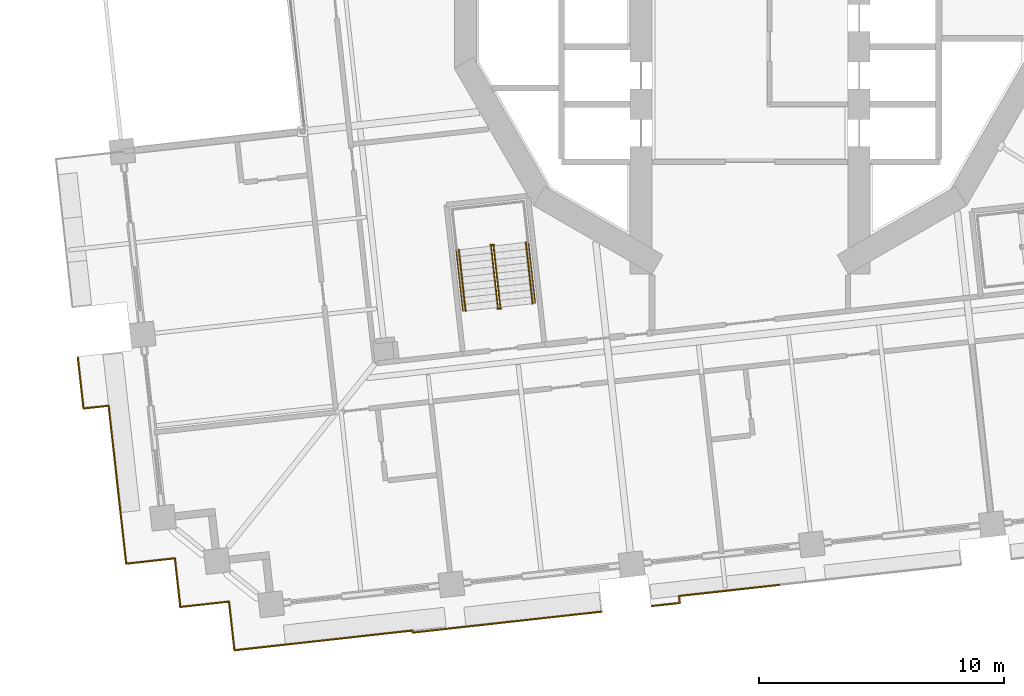
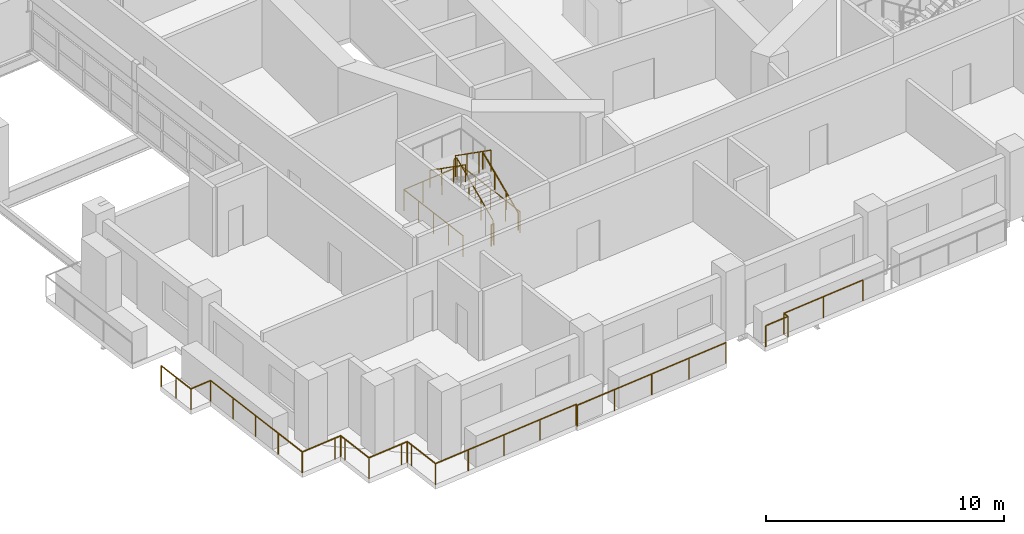
# One storey, part 15 of 21: 9 railings.
"""IFC4 building model written with IfcOpenShell, lengths in metres."""

from ifc_helpers import new_model, si_unit, direction, frame, origin, origin_2d, place, context, subcontext, project, spatial, circle, extrude, material, type_object, element, save


model = new_model("IFC4")

# Units and contexts
model_context = context("Model", 3, precision=1e-05, world=origin(), true_north=direction((0.0, 1.0)))
body_context = subcontext(model_context, "Body", "Model", "MODEL_VIEW")
ifc_project = project(units=[si_unit("LENGTHUNIT", "METRE"), si_unit("AREAUNIT", "SQUARE_METRE"), si_unit("VOLUMEUNIT", "CUBIC_METRE"), si_unit("PLANEANGLEUNIT", "RADIAN"), si_unit("MASSUNIT", "GRAM", prefix="KILO")], contexts=[model_context])

# Site, building, storey
site_placement = place(None, origin())
site = spatial("IfcSite", under=ifc_project, at=site_placement, CompositionType="ELEMENT")
building_placement = place(site_placement, origin())
building = spatial("IfcBuilding", under=site, at=building_placement, Name="Cantera Rosa Tower", CompositionType="ELEMENT")
storey_placement = place(building_placement, frame((0.0, 0.0, 69.10009765625)))
storey = spatial("IfcBuildingStorey", under=building, at=storey_placement, Name="L14", CompositionType="ELEMENT", Elevation=69.10009765625)

# Railings
ifc_material_1 = material(Name="Stainless steel and laminated glass", Category="steel")
railing_type_1 = type_object("IfcRailingType", Name="GUARD 1100", PredefinedType="BALUSTRADE", material=ifc_material_1)
railing_1_placement = place(storey_placement, frame((-25.46826171875, -23.45263671875, 0.0)))
element("IfcRailing", 1, at=railing_1_placement, inside=storey, type_object=railing_type_1, Name="GUARD L14-1", PredefinedType="BALUSTRADE", context=body_context, shape_type="SweptSolid", body=[
    extrude(circle(Radius=0.030029296875, at=origin_2d()), frame((0.0, 0.0, 1.070068359375), z_axis=(-0.110289669906, 0.993899486222, 0.0), x_axis=(-0.993899486222, -0.110289669906, 0.0)), (0.0, 0.0, 1.0), 1.699951171875),
    extrude(circle(Radius=0.030029296875, at=origin_2d()), frame((-0.1875, 1.689697265625, 1.070068359375), z_axis=(-0.110308384039, 0.993897409399, 0.0), x_axis=(-0.993897409399, -0.110308384039, 0.0)), (0.0, 0.0, 1.0), 4.787353515625),
    extrude(circle(Radius=0.030029296875, at=origin_2d()), frame((-0.715576171875, 6.44775390625, 1.070068359375), z_axis=(-0.993889498172, -0.110379642247, 0.0), x_axis=(0.110379642247, -0.993889498172, 0.0)), (0.0, 0.0, 1.0), 1.032958984375),
    extrude(circle(Radius=0.030029296875, at=origin_2d()), frame((-1.7421875, 6.333740234375, 1.070068359375), z_axis=(-0.110304087838, 0.993897886207, 0.0), x_axis=(-0.993897886207, -0.110304087838, 0.0)), (0.0, 0.0, 1.0), 2.102783203125),
    extrude(circle(Radius=0.02490234375, at=origin_2d()), origin(), (0.0, 0.0, 1.0), 1.0400390625),
    extrude(circle(Radius=0.02490234375, at=origin_2d()), frame((-0.1875, 1.689697265625, 0.0)), (0.0, 0.0, 1.0), 1.0400390625),
    extrude(circle(Radius=0.02490234375, at=origin_2d()), frame((-0.363525390625, 3.275634765625, 0.0)), (0.0, 0.0, 1.0), 1.0400390625),
    extrude(circle(Radius=0.02490234375, at=origin_2d()), frame((-0.53955078125, 4.86181640625, 0.0)), (0.0, 0.0, 1.0), 1.0400390625),
    extrude(circle(Radius=0.02490234375, at=origin_2d()), frame((-0.715576171875, 6.44775390625, 0.0)), (0.0, 0.0, 1.0), 1.0400390625),
    extrude(circle(Radius=0.02490234375, at=origin_2d()), frame((-1.7421875, 6.333740234375, 0.0)), (0.0, 0.0, 1.0), 1.0400390625),
    extrude(circle(Radius=0.02490234375, at=origin_2d()), frame((-1.858154296875, 7.378662109375, 0.0)), (0.0, 0.0, 1.0), 1.0400390625),
    extrude(circle(Radius=0.02490234375, at=origin_2d()), frame((-1.97412109375, 8.423583984375, 0.0)), (0.0, 0.0, 1.0), 1.0400390625),
])
railing_2_placement = place(storey_placement, frame((-6.06396484375, -25.4091796875, 0.0)))
element("IfcRailing", 2, at=railing_2_placement, inside=storey, type_object=railing_type_1, Name="GUARD L14-2", PredefinedType="BALUSTRADE", context=body_context, shape_type="SweptSolid", body=[
    extrude(circle(Radius=0.030029296875, at=origin_2d()), frame((0.0, 0.0, 1.070068359375), z_axis=(-0.993897547531, -0.110307139445, 0.0), x_axis=(0.110307139445, -0.993897547531, 0.0)), (0.0, 0.0, 1.0), 7.75537109375),
    extrude(circle(Radius=0.030029296875, at=origin_2d()), frame((-7.7080078125, -0.85546875, 1.070068359375), z_axis=(-0.108859286546, 0.994057169248, 0.0), x_axis=(-0.994057169248, -0.108859286546, 0.0)), (0.0, 0.0, 1.0), 0.085205078125),
    extrude(circle(Radius=0.030029296875, at=origin_2d()), frame((-7.71728515625, -0.770751953125, 1.070068359375), z_axis=(-0.993896984026, -0.110312216663, 0.0), x_axis=(0.110312216663, -0.993896984026, 0.0)), (0.0, 0.0, 1.0), 5.61474609375),
    extrude(circle(Radius=0.030029296875, at=origin_2d()), frame((-13.2978515625, -1.39013671875, 1.070068359375), z_axis=(-0.993883734674, -0.110431526075, 0.0), x_axis=(0.110431526075, -0.993883734674, 0.0)), (0.0, 0.0, 1.0), 1.7001953125),
    extrude(circle(Radius=0.030029296875, at=origin_2d()), frame((-14.987548828125, -1.577880859375, 1.070068359375), z_axis=(-0.110289669906, 0.993899486222, 0.0), x_axis=(-0.993899486222, -0.110289669906, 0.0)), (0.0, 0.0, 1.0), 1.699951171875),
    extrude(circle(Radius=0.030029296875, at=origin_2d()), frame((-15.175048828125, 0.11181640625, 1.070068359375), z_axis=(-0.110699535641, 0.99385391925, 0.0), x_axis=(-0.99385391925, -0.110699535641, 0.0)), (0.0, 0.0, 1.0), 0.300048828125),
    extrude(circle(Radius=0.030029296875, at=origin_2d()), frame((-15.208251953125, 0.409912109375, 1.070068359375), z_axis=(-0.993943154022, -0.10989543472, 0.0), x_axis=(0.10989543472, -0.993943154022, 0.0)), (0.0, 0.0, 1.0), 0.2998046875),
    extrude(circle(Radius=0.030029296875, at=origin_2d()), frame((-15.50634765625, 0.376953125, 1.070068359375), z_axis=(-0.993899486222, -0.110289669906, 0.0), x_axis=(0.110289669906, -0.993899486222, 0.0)), (0.0, 0.0, 1.0), 1.699951171875),
    extrude(circle(Radius=0.030029296875, at=origin_2d()), frame((-17.196044921875, 0.189453125, 1.070068359375), z_axis=(-0.110305413813, 0.993897739047, 0.0), x_axis=(-0.993897739047, -0.110305413813, 0.0)), (0.0, 0.0, 1.0), 1.69970703125),
    extrude(circle(Radius=0.030029296875, at=origin_2d()), frame((-17.383544921875, 1.87890625, 1.070068359375), z_axis=(-0.1098065887, 0.993952973273, 0.0), x_axis=(-0.993952973273, -0.1098065887, 0.0)), (0.0, 0.0, 1.0), 0.300048828125),
    extrude(circle(Radius=0.030029296875, at=origin_2d()), frame((-17.41650390625, 2.17724609375, 1.070068359375), z_axis=(-0.993863881828, -0.110610055588, 0.0), x_axis=(0.110610055588, -0.993863881828, 0.0)), (0.0, 0.0, 1.0), 0.30029296875),
    extrude(circle(Radius=0.030029296875, at=origin_2d()), frame((-17.71484375, 2.14404296875, 1.070068359375), z_axis=(-0.993897739047, -0.110305413813, 0.0), x_axis=(0.110305413813, -0.993897739047, 0.0)), (0.0, 0.0, 1.0), 1.69970703125),
    extrude(circle(Radius=0.02490234375, at=origin_2d()), origin(), (0.0, 0.0, 1.0), 1.0400390625),
    extrude(circle(Radius=0.02490234375, at=origin_2d()), frame((-1.927001953125, -0.2138671875, 0.0)), (0.0, 0.0, 1.0), 1.0400390625),
    extrude(circle(Radius=0.02490234375, at=origin_2d()), frame((-3.85400390625, -0.427734375, 0.0)), (0.0, 0.0, 1.0), 1.0400390625),
    extrude(circle(Radius=0.02490234375, at=origin_2d()), frame((-5.781005859375, -0.6416015625, 0.0)), (0.0, 0.0, 1.0), 1.0400390625),
    extrude(circle(Radius=0.02490234375, at=origin_2d()), frame((-7.7080078125, -0.85546875, 0.0)), (0.0, 0.0, 1.0), 1.0400390625),
    extrude(circle(Radius=0.02490234375, at=origin_2d()), frame((-7.71728515625, -0.770751953125, 0.0)), (0.0, 0.0, 1.0), 1.0400390625),
    extrude(circle(Radius=0.02490234375, at=origin_2d()), frame((-9.577392578125, -0.977294921875, 0.0)), (0.0, 0.0, 1.0), 1.0400390625),
    extrude(circle(Radius=0.02490234375, at=origin_2d()), frame((-11.437744140625, -1.18359375, 0.0)), (0.0, 0.0, 1.0), 1.0400390625),
    extrude(circle(Radius=0.02490234375, at=origin_2d()), frame((-13.2978515625, -1.39013671875, 0.0)), (0.0, 0.0, 1.0), 1.0400390625),
    extrude(circle(Radius=0.02490234375, at=origin_2d()), frame((-14.987548828125, -1.577880859375, 0.0)), (0.0, 0.0, 1.0), 1.0400390625),
    extrude(circle(Radius=0.02490234375, at=origin_2d()), frame((-15.175048828125, 0.11181640625, 0.0)), (0.0, 0.0, 1.0), 1.0400390625),
    extrude(circle(Radius=0.02490234375, at=origin_2d()), frame((-15.208251953125, 0.409912109375, 0.0)), (0.0, 0.0, 1.0), 1.0400390625),
    extrude(circle(Radius=0.02490234375, at=origin_2d()), frame((-15.50634765625, 0.376953125, 0.0)), (0.0, 0.0, 1.0), 1.0400390625),
    extrude(circle(Radius=0.02490234375, at=origin_2d()), frame((-17.196044921875, 0.189453125, 0.0)), (0.0, 0.0, 1.0), 1.0400390625),
    extrude(circle(Radius=0.02490234375, at=origin_2d()), frame((-17.383544921875, 1.87890625, 0.0)), (0.0, 0.0, 1.0), 1.0400390625),
    extrude(circle(Radius=0.02490234375, at=origin_2d()), frame((-17.41650390625, 2.17724609375, 0.0)), (0.0, 0.0, 1.0), 1.0400390625),
    extrude(circle(Radius=0.02490234375, at=origin_2d()), frame((-17.71484375, 2.14404296875, 0.0)), (0.0, 0.0, 1.0), 1.0400390625),
    extrude(circle(Radius=0.02490234375, at=origin_2d()), frame((-19.404296875, 1.95654296875, 0.0)), (0.0, 0.0, 1.0), 1.0400390625),
])
railing_3_placement = place(storey_placement, frame((1.189697265625, -24.317138671875, 0.0)))
element("IfcRailing", 3, at=railing_3_placement, inside=storey, type_object=railing_type_1, Name="GUARD L14-7", PredefinedType="BALUSTRADE", context=body_context, shape_type="SweptSolid", body=[
    extrude(circle(Radius=0.030029296875, at=origin_2d()), frame((0.0, 0.0, 1.070068359375), z_axis=(-0.993898197765, -0.110301280499, 0.0), x_axis=(0.110301280499, -0.993898197765, 0.0)), (0.0, 0.0, 1.0), 4.11474609375),
    extrude(circle(Radius=0.030029296875, at=origin_2d()), frame((-4.089599609375, -0.453857421875, 1.070068359375), z_axis=(0.110431526075, -0.993883734674, 0.0), x_axis=(0.993883734674, 0.110431526075, 0.0)), (0.0, 0.0, 1.0), 0.28515625),
    extrude(circle(Radius=0.030029296875, at=origin_2d()), frame((-4.05810546875, -0.7373046875, 1.070068359375), z_axis=(-0.993896614033, -0.110315550186, 0.0), x_axis=(0.110315550186, -0.993896614033, 0.0)), (0.0, 0.0, 1.0), 1.1552734375),
    extrude(circle(Radius=0.02490234375, at=origin_2d()), origin(), (0.0, 0.0, 1.0), 1.0400390625),
    extrude(circle(Radius=0.02490234375, at=origin_2d()), frame((-2.044921875, -0.22705078125, 0.0)), (0.0, 0.0, 1.0), 1.0400390625),
    extrude(circle(Radius=0.02490234375, at=origin_2d()), frame((-4.089599609375, -0.453857421875, 0.0)), (0.0, 0.0, 1.0), 1.0400390625),
    extrude(circle(Radius=0.02490234375, at=origin_2d()), frame((-4.05810546875, -0.7373046875, 0.0)), (0.0, 0.0, 1.0), 1.0400390625),
    extrude(circle(Radius=0.02490234375, at=origin_2d()), frame((-5.206298828125, -0.86474609375, 0.0)), (0.0, 0.0, 1.0), 1.0400390625),
])
ifc_material_2 = material(Name="Steel S355J2 (EN 10025-2)", Category="steel")
railing_type_2 = type_object("IfcRailingType", Name="STAIR GUARD 1100", PredefinedType="GUARDRAIL", material=ifc_material_2)
railing_4_placement = place(storey_placement, frame((-10.19677734375, -12.986083984375, 0.18994140625)))
element("IfcRailing", 4, at=railing_4_placement, inside=storey, type_object=railing_type_2, Name="L14 ST-13 stair guard 1", PredefinedType="GUARDRAIL", context=body_context, shape_type="SweptSolid", body=[
    extrude(circle(Radius=0.02392578125, at=origin_2d()), frame((0.0, 0.0, 1.076171875), z_axis=(-0.091310000343, 0.822431337597, 0.561488360321), x_axis=(-0.993893182753, -0.110346460196, 0.0)), (0.0, 0.0, 1.0), 3.04541015625),
    extrude(circle(Radius=0.02392578125, at=origin_2d()), frame((-0.278076171875, 2.504638671875, 2.7861328125), z_axis=(0.360141847183, 0.932897555956, 0.0), x_axis=(-0.932897555956, 0.360141847183, 0.0)), (0.0, 0.0, 1.0), 0.05615234375),
    extrude(circle(Radius=0.02392578125, at=origin_2d()), frame((-0.2578125, 2.55712890625, 2.7861328125), z_axis=(-0.994022053584, -0.109179471459, 0.0), x_axis=(0.109179471459, -0.994022053584, 0.0)), (0.0, 0.0, 1.0), 0.14990234375),
    extrude(circle(Radius=0.02099609375, at=origin_2d()), origin(), (0.0, 0.0, 1.0), 1.052001953125),
    extrude(circle(Radius=0.02099609375, at=origin_2d()), frame((-0.0927734375, 0.8349609375, 0.570068359375)), (0.0, 0.0, 1.0), 1.052001953125),
    extrude(circle(Radius=0.02099609375, at=origin_2d()), frame((-0.185302734375, 1.669677734375, 1.139892578125)), (0.0, 0.0, 1.0), 1.052001953125),
    extrude(circle(Radius=0.02099609375, at=origin_2d()), frame((-0.278076171875, 2.504638671875, 1.7099609375)), (0.0, 0.0, 1.0), 1.052001953125),
    extrude(circle(Radius=0.02099609375, at=origin_2d()), frame((-0.2578125, 2.55712890625, 1.7099609375)), (0.0, 0.0, 1.0), 1.052001953125),
    extrude(circle(Radius=0.02099609375, at=origin_2d()), frame((-0.40673828125, 2.540771484375, 1.7099609375)), (0.0, 0.0, 1.0), 1.052001953125),
])
railing_5_placement = place(storey_placement, frame((-10.572265625, -10.4921875, 2.08984375)))
element("IfcRailing", 5, at=railing_5_placement, inside=storey, type_object=railing_type_2, Name="L14 ST-13 stair guard 2", PredefinedType="GUARDRAIL", context=body_context, shape_type="SweptSolid", body=[
    extrude(circle(Radius=0.02392578125, at=origin_2d()), frame((0.0, 0.0, 1.076171875), z_axis=(0.091310000343, -0.822431337597, 0.561488360321), x_axis=(0.993893182753, 0.110346460196, 0.0)), (0.0, 0.0, 1.0), 3.04541015625),
    extrude(circle(Radius=0.02099609375, at=origin_2d()), origin(), (0.0, 0.0, 1.0), 1.052001953125),
    extrude(circle(Radius=0.02099609375, at=origin_2d()), frame((0.0927734375, -0.8349609375, 0.570068359375)), (0.0, 0.0, 1.0), 1.052001953125),
    extrude(circle(Radius=0.02099609375, at=origin_2d()), frame((0.185302734375, -1.669677734375, 1.139892578125)), (0.0, 0.0, 1.0), 1.052001953125),
    extrude(circle(Radius=0.02099609375, at=origin_2d()), frame((0.278076171875, -2.504638671875, 1.7099609375)), (0.0, 0.0, 1.0), 1.052001953125),
])
railing_6_placement = place(storey_placement, frame((-10.16552734375, -13.032958984375, 0.0)))
element("IfcRailing", 6, at=railing_6_placement, inside=storey, type_object=railing_type_2, Name="L14 ST-13 stair guard 3", PredefinedType="GUARDRAIL", context=body_context, shape_type="SweptSolid", body=[
    extrude(circle(Radius=0.02392578125, at=origin_2d()), frame((0.0, 0.0, 1.076171875), z_axis=(-0.994041430915, -0.1090029065, 0.0), x_axis=(0.1090029065, -0.994041430915, 0.0)), (0.0, 0.0, 1.0), 0.150146484375),
    extrude(circle(Radius=0.02099609375, at=origin_2d()), origin(), (0.0, 0.0, 1.0), 1.052001953125),
    extrude(circle(Radius=0.02099609375, at=origin_2d()), frame((-0.149169921875, -0.016357421875, 0.0)), (0.0, 0.0, 1.0), 1.052001953125),
])
railing_7_placement = place(storey_placement, frame((-8.77099609375, -12.815673828125, 0.0)))
element("IfcRailing", 7, at=railing_7_placement, inside=storey, type_object=railing_type_2, Name="L14 ST-13 stair guard 4", PredefinedType="GUARDRAIL", context=body_context, shape_type="SweptSolid", body=[
    extrude(circle(Radius=0.02392578125, at=origin_2d()), frame((0.0, 0.0, 1.076171875), z_axis=(-0.110323013767, 0.9938957856, 0.0), x_axis=(-0.9938957856, -0.110323013767, 0.0)), (0.0, 0.0, 1.0), 4.197998046875),
    extrude(circle(Radius=0.02392578125, at=origin_2d()), frame((-0.463134765625, 4.17236328125, 1.076171875), z_axis=(-0.993896759678, -0.110314237986, 0.0), x_axis=(0.110314237986, -0.993896759678, 0.0)), (0.0, 0.0, 1.0), 2.969970703125),
    extrude(circle(Radius=0.02392578125, at=origin_2d()), frame((-3.4150390625, 3.8447265625, 1.076171875), z_axis=(0.110323013767, -0.9938957856, 0.0), x_axis=(0.9938957856, 0.110323013767, 0.0)), (0.0, 0.0, 1.0), 4.197998046875),
    extrude(circle(Radius=0.02099609375, at=origin_2d()), origin(), (0.0, 0.0, 1.0), 1.052001953125),
    extrude(circle(Radius=0.02099609375, at=origin_2d()), frame((-0.11572265625, 1.04296875, 0.0)), (0.0, 0.0, 1.0), 1.052001953125),
    extrude(circle(Radius=0.02099609375, at=origin_2d()), frame((-0.2314453125, 2.086181640625, 0.0)), (0.0, 0.0, 1.0), 1.052001953125),
    extrude(circle(Radius=0.02099609375, at=origin_2d()), frame((-0.347412109375, 3.12939453125, 0.0)), (0.0, 0.0, 1.0), 1.052001953125),
    extrude(circle(Radius=0.02099609375, at=origin_2d()), frame((-0.463134765625, 4.17236328125, 0.0)), (0.0, 0.0, 1.0), 1.052001953125),
    extrude(circle(Radius=0.02099609375, at=origin_2d()), frame((-1.447021484375, 4.063232421875, 0.0)), (0.0, 0.0, 1.0), 1.052001953125),
    extrude(circle(Radius=0.02099609375, at=origin_2d()), frame((-2.43115234375, 3.953857421875, 0.0)), (0.0, 0.0, 1.0), 1.052001953125),
    extrude(circle(Radius=0.02099609375, at=origin_2d()), frame((-3.4150390625, 3.8447265625, 0.0)), (0.0, 0.0, 1.0), 1.052001953125),
    extrude(circle(Radius=0.02099609375, at=origin_2d()), frame((-3.29931640625, 2.8017578125, 0.0)), (0.0, 0.0, 1.0), 1.052001953125),
    extrude(circle(Radius=0.02099609375, at=origin_2d()), frame((-3.18359375, 1.758544921875, 0.0)), (0.0, 0.0, 1.0), 1.052001953125),
    extrude(circle(Radius=0.02099609375, at=origin_2d()), frame((-3.067626953125, 0.71533203125, 0.0)), (0.0, 0.0, 1.0), 1.052001953125),
    extrude(circle(Radius=0.02099609375, at=origin_2d()), frame((-2.951904296875, -0.32763671875, 0.0)), (0.0, 0.0, 1.0), 1.052001953125),
])
ifc_material_3 = material(Name="Steel S355J2 (EN 10025-2)", Category="steel")
railing_type_3 = type_object("IfcRailingType", Name="STAIR HANDRAIL 900", PredefinedType="HANDRAIL", material=ifc_material_3)
railing_8_placement = place(storey_placement, frame((-8.87890625, -12.83984375, 0.18994140625)))
element("IfcRailing", 8, at=railing_8_placement, inside=storey, type_object=railing_type_3, Name="L14 ST-13 stair handrail 1", PredefinedType="HANDRAIL", context=body_context, shape_type="SweptSolid", body=[
    extrude(circle(Radius=0.02392578125, at=origin_2d()), frame((0.0, 0.0, 0.8759765625), z_axis=(-0.091310000343, 0.822431337597, 0.561488360321), x_axis=(-0.993893182753, -0.110346460196, 0.0)), (0.0, 0.0, 1.0), 3.04541015625),
    extrude(circle(Radius=0.02099609375, at=origin_2d()), origin(), (0.0, 0.0, 1.0), 0.851806640625),
    extrude(circle(Radius=0.02099609375, at=origin_2d()), frame((-0.0927734375, 0.8349609375, 0.570068359375)), (0.0, 0.0, 1.0), 0.851806640625),
    extrude(circle(Radius=0.02099609375, at=origin_2d()), frame((-0.185302734375, 1.669677734375, 1.139892578125)), (0.0, 0.0, 1.0), 0.851806640625),
    extrude(circle(Radius=0.02099609375, at=origin_2d()), frame((-0.278076171875, 2.504638671875, 1.7099609375)), (0.0, 0.0, 1.0), 0.851806640625),
])
railing_9_placement = place(storey_placement, frame((-11.89013671875, -10.638427734375, 2.08984375)))
element("IfcRailing", 9, at=railing_9_placement, inside=storey, type_object=railing_type_3, Name="L14 ST-13 stair handrail 2", PredefinedType="HANDRAIL", context=body_context, shape_type="SweptSolid", body=[
    extrude(circle(Radius=0.02392578125, at=origin_2d()), frame((0.0, 0.0, 0.8759765625), z_axis=(0.091310000343, -0.822431337597, 0.561488360321), x_axis=(0.993893182753, 0.110346460196, 0.0)), (0.0, 0.0, 1.0), 3.04541015625),
    extrude(circle(Radius=0.02099609375, at=origin_2d()), origin(), (0.0, 0.0, 1.0), 0.851806640625),
    extrude(circle(Radius=0.02099609375, at=origin_2d()), frame((0.0927734375, -0.8349609375, 0.570068359375)), (0.0, 0.0, 1.0), 0.851806640625),
    extrude(circle(Radius=0.02099609375, at=origin_2d()), frame((0.185302734375, -1.669677734375, 1.139892578125)), (0.0, 0.0, 1.0), 0.851806640625),
    extrude(circle(Radius=0.02099609375, at=origin_2d()), frame((0.278076171875, -2.504638671875, 1.7099609375)), (0.0, 0.0, 1.0), 0.851806640625),
])

save(model, "model.ifc")
